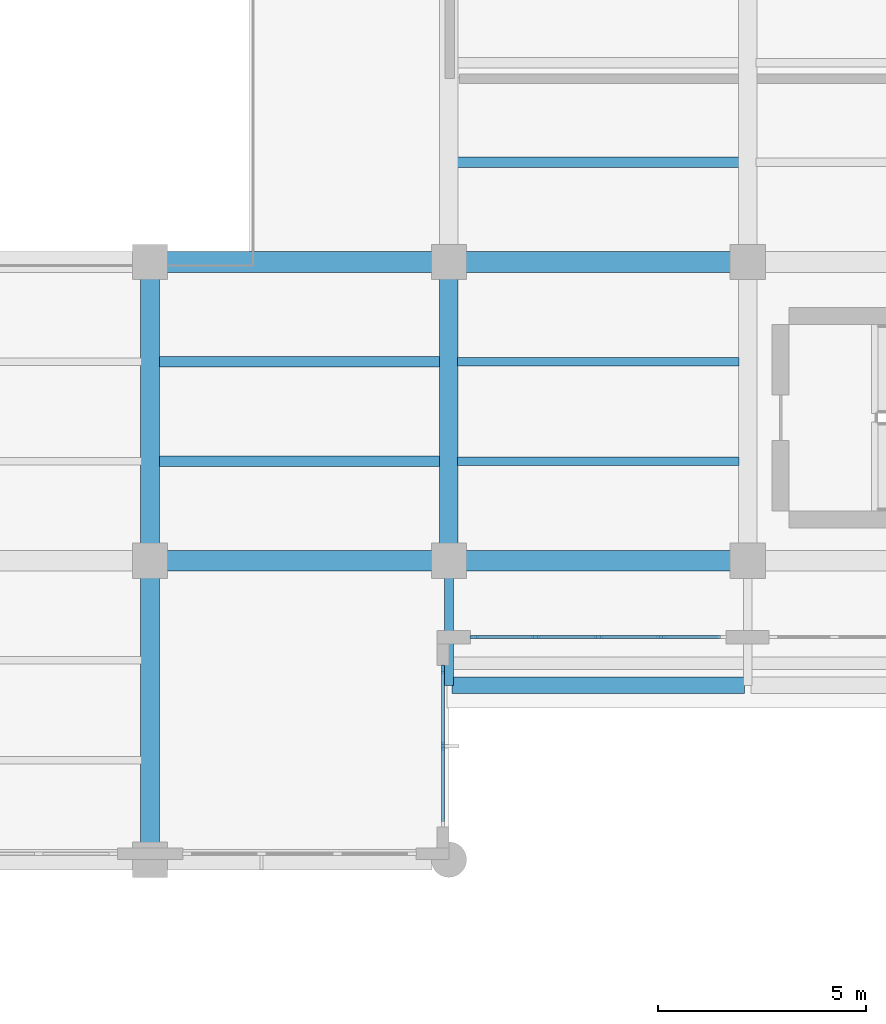
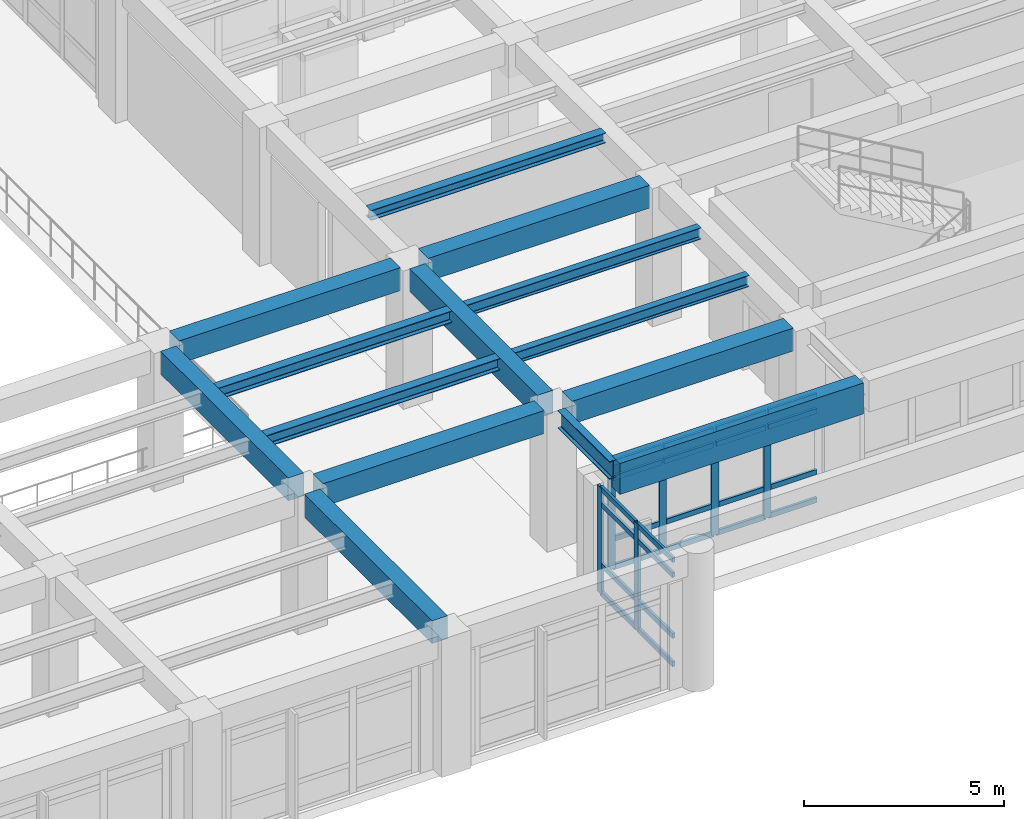
# One storey, part 27 of 98: 30 members, 14 beams, 2 elements without a shape of their own.
"""IFC4 building model written with IfcOpenShell, lengths in metres."""

import ifcopenshell
import ifcopenshell.guid

model = None  # the IFC model being written
_history = None  # IfcOwnerHistory: only IFC2X3 demands one
_inside = {}  # id of a spatial element -> (the spatial element, [elements in it])
_under = {}  # id of a project, library or spatial element -> (it, [spatial elements below it])
_declared = {}  # id of a project -> (the project, [libraries it declares])
_typed = {}  # id of a type object -> (the type object, [elements of that type])
_made_of = {}  # id of a material, layer set ... -> (it, [elements and type objects made of it])


def new_model(schema):
    """Start an empty IFC model of exactly this schema.

    Asked for "IFC4X3", IfcOpenShell would pick the latest addendum, in which some entities
    have other attributes; the version numbers below select the first issue.
    IFC2X3 requires an IfcOwnerHistory on every rooted entity: one is made here for all.
    """
    global model, _history
    if schema == "IFC4X3":
        model = ifcopenshell.file(schema_version=(4, 3, 0, 0))
    else:
        model = ifcopenshell.file(schema=schema)
    _inside.clear()
    _under.clear()
    _declared.clear()
    _typed.clear()
    _made_of.clear()
    _history = None
    if model.schema == "IFC2X3":
        org = make("IfcOrganization", Name="unknown")
        user = make(
            "IfcPersonAndOrganization",
            ThePerson=make("IfcPerson", FamilyName="unknown"),
            TheOrganization=org,
        )
        app = make(
            "IfcApplication",
            ApplicationDeveloper=org,
            Version="unknown",
            ApplicationFullName="unknown",
            ApplicationIdentifier="unknown",
        )
        _history = make(
            "IfcOwnerHistory",
            OwningUser=user,
            OwningApplication=app,
            ChangeAction="ADDED",
            CreationDate=0,
        )
    return model


def make(cls, **values):
    """One entity of the class cls with the attributes given. An attribute that is None is left unset."""
    return model.create_entity(
        cls, **{name: value for name, value in values.items() if value is not None}
    )


def rooted(cls, **values):
    """An entity with a GlobalId (a new one), such as an element, a storey or a relation."""
    return make(cls, GlobalId=ifcopenshell.guid.new(), OwnerHistory=_history, **values)


def si_unit(unit_type, name, prefix=None):
    """IfcSIUnit, for example si_unit("LENGTHUNIT", "METRE", prefix="MILLI")."""
    return make("IfcSIUnit", UnitType=unit_type, Prefix=prefix, Name=name)


def assignment(units):
    """IfcUnitAssignment: the units of a project."""
    return None if units is None else make("IfcUnitAssignment", Units=units)


def point(xyz):
    """IfcCartesianPoint."""
    return None if xyz is None else make("IfcCartesianPoint", Coordinates=xyz)


def direction(xyz):
    """IfcDirection."""
    return None if xyz is None else make("IfcDirection", DirectionRatios=xyz)


def frame(location, z_axis=None, x_axis=None):
    """IfcAxis2Placement3D, a coordinate frame: its origin and axes. An axis left out is left unset."""
    return make(
        "IfcAxis2Placement3D",
        Location=point(location),
        Axis=direction(z_axis),
        RefDirection=direction(x_axis),
    )


def frame_2d(location, x_axis=None):
    """IfcAxis2Placement2D, a coordinate frame in the plane: its origin and x axis."""
    return make(
        "IfcAxis2Placement2D", Location=point(location), RefDirection=direction(x_axis)
    )


def origin():
    """The frame at (0, 0, 0) with its axes left unset."""
    return frame((0.0, 0.0, 0.0))


def origin_2d():
    """The frame at (0, 0) in the plane with its x axis left unset."""
    return frame_2d((0.0, 0.0))


def place(relative_to, where):
    """IfcLocalPlacement: puts the frame where relative to a parent placement (None: the world)."""
    return make(
        "IfcLocalPlacement", PlacementRelTo=relative_to, RelativePlacement=where
    )


def context(
    kind, dimensions, precision=None, world=None, true_north=None, identifier=None
):
    """IfcGeometricRepresentationContext, for example the 3D "Model" context."""
    return make(
        "IfcGeometricRepresentationContext",
        ContextIdentifier=identifier,
        ContextType=kind,
        CoordinateSpaceDimension=dimensions,
        Precision=precision,
        WorldCoordinateSystem=world,
        TrueNorth=true_north,
    )


def subcontext(parent, identifier, kind, view, scale=None):
    """IfcGeometricRepresentationSubContext, for example "Body" below "Model"."""
    return make(
        "IfcGeometricRepresentationSubContext",
        ContextIdentifier=identifier,
        ContextType=kind,
        ParentContext=parent,
        TargetScale=scale,
        TargetView=view,
    )


def project(units=None, contexts=None):
    """IfcProject with its units and contexts."""
    return rooted(
        "IfcProject",
        Name="project",
        RepresentationContexts=contexts,
        UnitsInContext=assignment(units),
    )


def spatial(cls, under=None, at=None, **own):
    """A site, building, storey or space (cls), placed at a placement, below another one or the project."""
    s = rooted(cls, ObjectPlacement=at, **own)
    if under is not None:
        _under.setdefault(under.id(), (under, []))[1].append(s)
    return s


def profile(cls, at=None, kind="AREA", **sizes):
    """A parametric profile (cls). Its sizes go by their IFC names, for example OverallWidth=200.0."""
    return make(cls, ProfileType=kind, Position=at, **sizes)


def rectangle(**sizes):
    """IfcRectangleProfileDef."""
    return profile("IfcRectangleProfileDef", **sizes)


def i_section(**sizes):
    """IfcIShapeProfileDef."""
    return profile("IfcIShapeProfileDef", **sizes)


def extrude(swept, where, along, depth):
    """IfcExtrudedAreaSolid: the profile swept, set in the frame where, extruded along a direction by depth."""
    return make(
        "IfcExtrudedAreaSolid",
        SweptArea=swept,
        Position=where,
        ExtrudedDirection=direction(along),
        Depth=depth,
    )


def shape(context_of_items, identifier, shape_type, items):
    """IfcShapeRepresentation: the items that make up one representation, for example the "Body"."""
    return make(
        "IfcShapeRepresentation",
        ContextOfItems=context_of_items,
        RepresentationIdentifier=identifier,
        RepresentationType=shape_type,
        Items=items,
    )


def material(Name=None, Category=None):
    """IfcMaterial."""
    return make("IfcMaterial", Name=Name, Category=Category)


def layer(
    of_material, thickness, ventilated=None, Name=None, Category=None, Priority=None
):
    """IfcMaterialLayer: one layer of a wall or slab, of a material (None: an air gap)."""
    return make(
        "IfcMaterialLayer",
        Material=of_material,
        LayerThickness=thickness,
        IsVentilated=ventilated,
        Name=Name,
        Category=Category,
        Priority=Priority,
    )


def layer_set(layers, Name=None):
    """IfcMaterialLayerSet."""
    return make("IfcMaterialLayerSet", MaterialLayers=layers, LayerSetName=Name)


def material_profile(
    of_material, cross_section, Name=None, Category=None, Priority=None
):
    """IfcMaterialProfile: a cross section and its material."""
    return make(
        "IfcMaterialProfile",
        Name=Name,
        Material=of_material,
        Profile=cross_section,
        Priority=Priority,
        Category=Category,
    )


def profile_set(profiles, Name=None, composite=None):
    """IfcMaterialProfileSet."""
    return make(
        "IfcMaterialProfileSet",
        Name=Name,
        MaterialProfiles=profiles,
        CompositeProfile=composite,
    )


def made_of(thing, what):
    """Note that an element or type object is made of a material, layer set ...; save() writes the relation."""
    if what is not None:
        _made_of.setdefault(what.id(), (what, []))[1].append(thing)
    return thing


def type_object(cls, material=None, **own):
    """A type object (cls), such as IfcWallType, which elements share."""
    return made_of(rooted(cls, **own), material)


def element(
    cls,
    number,
    at=None,
    inside=None,
    cuts=None,
    type_object=None,
    material=None,
    context=None,
    identifier="Body",
    shape_type=None,
    held_by="IfcProductDefinitionShape",
    body=None,
    shapes=None,
    **own,
):
    """One element of the class cls, such as IfcWall. Its Tag is "e" and its number.

    at: its placement. inside: the storey or other place that contains it. cuts: it is an
    opening in that element (IfcRelVoidsElement). A single representation is given by context,
    identifier, shape_type and body (its items); several are given by shapes. held_by: the class
    of the entity that holds the representations. save() writes the other relations.
    """
    e = rooted(cls, Tag="e%d" % number, ObjectPlacement=at, **own)
    if body is not None:
        shapes = [shape(context, identifier, shape_type, body)]
    if shapes is not None:
        e.Representation = make(held_by, Representations=shapes)
    if inside is not None:
        _inside.setdefault(inside.id(), (inside, []))[1].append(e)
    if cuts is not None:
        rooted(
            "IfcRelVoidsElement", RelatingBuildingElement=cuts, RelatedOpeningElement=e
        )
    if type_object is not None:
        _typed.setdefault(type_object.id(), (type_object, []))[1].append(e)
    return made_of(e, material)


def aggregate(whole, parts):
    """IfcRelAggregates: a whole, such as a stair, and the parts it consists of."""
    return rooted("IfcRelAggregates", RelatingObject=whole, RelatedObjects=parts)


def save(model, path):
    """Write the relations noted so far, then the file.

    IfcRelAggregates (storeys below a building ...), IfcRelContainedInSpatialStructure (elements
    in a storey), IfcRelDefinesByType, IfcRelAssociatesMaterial and IfcRelDeclares: one each for
    every whole, place, type object, material and project.
    """
    for whole, parts in _under.values():
        aggregate(whole, parts)
    for where, things in _inside.values():
        rooted(
            "IfcRelContainedInSpatialStructure",
            RelatedElements=things,
            RelatingStructure=where,
        )
    for kind, things in _typed.values():
        rooted("IfcRelDefinesByType", RelatedObjects=things, RelatingType=kind)
    for what, things in _made_of.values():
        rooted("IfcRelAssociatesMaterial", RelatedObjects=things, RelatingMaterial=what)
    for by, libraries in _declared.values():
        rooted("IfcRelDeclares", RelatingContext=by, RelatedDefinitions=libraries)
    model.write(path)


model = new_model("IFC4")

# Units and contexts
model_context = context("Model", 3, precision=1e-05, world=origin(), true_north=direction((0.0, 1.0)))
body_context = subcontext(model_context, "Body", "Model", "MODEL_VIEW")
ifc_project = project(units=[si_unit("LENGTHUNIT", "METRE"), si_unit("AREAUNIT", "SQUARE_METRE"), si_unit("VOLUMEUNIT", "CUBIC_METRE"), si_unit("PLANEANGLEUNIT", "RADIAN"), si_unit("MASSUNIT", "GRAM", prefix="KILO")], contexts=[model_context])

# Site, building, storey
site_placement = place(None, origin())
site = spatial("IfcSite", under=ifc_project, at=site_placement, CompositionType="ELEMENT")
building_placement = place(site_placement, origin())
building = spatial("IfcBuilding", under=site, at=building_placement, Name="Solenvale Faculty of Natural Sciences", CompositionType="ELEMENT")
storey_placement = place(building_placement, frame((0.0, 0.0, 9.0)))
storey = spatial("IfcBuildingStorey", under=building, at=storey_placement, Name="L02", CompositionType="ELEMENT", Elevation=9.0)

# Beams
ifc_material_1 = material(Name="Concrete 40 MPa", Category="concrete")
ifc_material_profile_1 = material_profile(ifc_material_1, rectangle(XDim=0.449951171875, YDim=0.699951171875, at=origin_2d()), Name="RC-BM-450x700")
ifc_profile_set_1 = profile_set([ifc_material_profile_1], Name="Concrete 40 MPa")
beam_type_1 = type_object("IfcBeamType", Name="BM-RC-450x700", PredefinedType="BEAM", material=ifc_profile_set_1)
for number, where, z_axis, x_axis, name in (
    (1, (50.39990234375, 14.804931640625, 3.8701171875), (0.0, 1.0, 0.0), (-1.0, 0.0, 0.0), "L02 Y-Girder X50.4 (14.4..21.6)"),
    (2, (50.39990234375, 22.0048828125, 3.8701171875), (0.0, 1.0, 0.0), (-1.0, 0.0, 0.0), "L02 Y-Girder X50.4 (21.6..28.8)"),
    (3, (57.60009765625, 22.0048828125, 3.8701171875), (0.0, 1.0, 0.0), (-1.0, 0.0, 0.0), "L02 Y-Girder X57.6 (21.6..28.8)"),
):
    element("IfcBeam", number, at=place(storey_placement, frame(where, z_axis=z_axis, x_axis=x_axis)), inside=storey, type_object=beam_type_1, Name=name, PredefinedType="BEAM", context=body_context, shape_type="SweptSolid", body=[
        extrude(rectangle(XDim=0.449951171875, YDim=0.699951171875, at=origin_2d()), origin(), (0.0, 0.0, 1.0), 6.39013671875),
    ])
ifc_material_profile_2 = material_profile(ifc_material_1, rectangle(XDim=0.5, YDim=0.699951171875, at=origin_2d()), Name="RC-BM-500x700")
ifc_profile_set_2 = profile_set([ifc_material_profile_2], Name="Concrete 40 MPa")
beam_type_2 = type_object("IfcBeamType", Name="BM-RC-500x700", PredefinedType="BEAM", material=ifc_profile_set_2)
for number, where, z_axis, x_axis, name in (
    (4, (50.804931640625, 21.60009765625, 3.8701171875), (1.0, 0.0, 0.0), (0.0, 1.0, 0.0), "L02 X-Girder Y21.6 (50.4..57.6)"),
    (5, (58.0048828125, 21.60009765625, 3.8701171875), (1.0, 0.0, 0.0), (0.0, 1.0, 0.0), "L02 X-Girder Y21.6 (57.6..64.8)"),
    (6, (50.804931640625, 28.800048828125, 3.8701171875), (1.0, 0.0, 0.0), (0.0, 1.0, 0.0), "L02 X-Girder Y28.8 (50.4..57.6)"),
    (7, (58.0048828125, 28.800048828125, 3.8701171875), (1.0, 0.0, 0.0), (0.0, 1.0, 0.0), "L02 X-Girder Y28.8 (57.6..64.8)"),
):
    element("IfcBeam", number, at=place(storey_placement, frame(where, z_axis=z_axis, x_axis=x_axis)), inside=storey, type_object=beam_type_2, Name=name, PredefinedType="BEAM", context=body_context, shape_type="SweptSolid", body=[
        extrude(rectangle(XDim=0.5, YDim=0.699951171875, at=origin_2d()), origin(), (0.0, 0.0, 1.0), 6.39013671875),
    ])
ifc_material_2 = material(Name="Architectural bronze concrete 40 MPa", Category="concrete")
ifc_material_profile_3 = material_profile(ifc_material_2, rectangle(XDim=0.39990234375, YDim=0.949951171875, at=origin_2d()), Name="RC-SPN-400x950")
ifc_profile_set_3 = profile_set([ifc_material_profile_3], Name="Architectural bronze concrete 40 MPa")
beam_type_3 = type_object("IfcBeamType", Name="BM-SPN-BRZ-950", PredefinedType="SPANDREL", material=ifc_profile_set_3)
beam_1_placement = place(storey_placement, frame((57.679931640625, 18.60009765625, 3.7451171875), z_axis=(1.0, 0.0, 0.0), x_axis=(0.0, 1.0, 0.0)))
element("IfcBeam", 8, at=beam_1_placement, inside=storey, type_object=beam_type_3, Name="L03 Sliding-Tray South Bronze Fascia 1", PredefinedType="SPANDREL", context=body_context, shape_type="SweptSolid", body=[
    extrude(rectangle(XDim=0.39990234375, YDim=0.949951171875, at=origin_2d()), origin(), (0.0, 0.0, 1.0), 7.0400390625),
])
ifc_material_3 = material(Name="Steel S355", Category="steel")
ifc_material_profile_4 = material_profile(ifc_material_3, i_section(OverallWidth=0.25390625, OverallDepth=0.305908203125, WebThickness=0.0087890625, FlangeThickness=0.0146484375, FilletRadius=0.014892578125, at=origin_2d()), Name="W310x79")
ifc_profile_set_4 = profile_set([ifc_material_profile_4], Name="Steel S355")
beam_type_4 = type_object("IfcBeamType", Name="BM-STL-W310x79", PredefinedType="JOIST", material=ifc_profile_set_4)
beam_2_placement = place(storey_placement, frame((57.804931640625, 31.199951171875, 4.06689453125), z_axis=(1.0, 0.0, 0.0), x_axis=(0.0, 1.0, 0.0)))
element("IfcBeam", 9, at=beam_2_placement, inside=storey, type_object=beam_type_4, Name="L02 Composite Floor Joist (9,5).1", PredefinedType="JOIST", context=body_context, shape_type="SweptSolid", body=[
    extrude(i_section(OverallWidth=0.25390625, OverallDepth=0.305908203125, WebThickness=0.0087890625, FlangeThickness=0.0146484375, FilletRadius=0.014892578125, at=origin_2d()), origin(), (0.0, 0.0, 1.0), 6.7900390625),
])
ifc_material_profile_5 = material_profile(ifc_material_3, i_section(OverallWidth=0.2548828125, OverallDepth=0.35693359375, WebThickness=0.010498046875, FlangeThickness=0.018310546875, FilletRadius=0.014892578125, at=origin_2d()), Name="W360x101")
ifc_profile_set_5 = profile_set([ifc_material_profile_5], Name="Steel S355")
beam_type_5 = type_object("IfcBeamType", Name="BM-STL-W360x101", PredefinedType="JOIST", material=ifc_profile_set_5)
for number, where, z_axis, x_axis, name in (
    (10, (50.60498046875, 24.0, 4.04150390625), (1.0, 0.0, 0.0), (0.0, 1.0, 0.0), "L02 Composite Floor Joist (8,4).1"),
    (11, (50.60498046875, 26.39990234375, 4.04150390625), (1.0, 0.0, 0.0), (0.0, 1.0, 0.0), "L02 Composite Floor Joist (8,4).2"),
):
    element("IfcBeam", number, at=place(storey_placement, frame(where, z_axis=z_axis, x_axis=x_axis)), inside=storey, type_object=beam_type_5, Name=name, PredefinedType="JOIST", context=body_context, shape_type="SweptSolid", body=[
        extrude(i_section(OverallWidth=0.2548828125, OverallDepth=0.35693359375, WebThickness=0.010498046875, FlangeThickness=0.018310546875, FilletRadius=0.014892578125, at=origin_2d()), origin(), (0.0, 0.0, 1.0), 6.7900390625),
    ])
ifc_material_profile_6 = material_profile(ifc_material_3, i_section(OverallWidth=0.2041015625, OverallDepth=0.35009765625, WebThickness=0.008544921875, FlangeThickness=0.01513671875, FilletRadius=0.014892578125, at=origin_2d()), Name="W360x72")
ifc_profile_set_6 = profile_set([ifc_material_profile_6], Name="Steel S355")
beam_type_6 = type_object("IfcBeamType", Name="BM-STL-W360x72", PredefinedType="JOIST", material=ifc_profile_set_6)
for number, where, z_axis, x_axis, name in (
    (12, (57.804931640625, 24.0, 4.044921875), (1.0, 0.0, 0.0), (0.0, 1.0, 0.0), "L02 Composite Floor Joist (9,4).1"),
    (13, (57.804931640625, 26.39990234375, 4.044921875), (1.0, 0.0, 0.0), (0.0, 1.0, 0.0), "L02 Composite Floor Joist (9,4).2"),
):
    element("IfcBeam", number, at=place(storey_placement, frame(where, z_axis=z_axis, x_axis=x_axis)), inside=storey, type_object=beam_type_6, Name=name, PredefinedType="JOIST", context=body_context, shape_type="SweptSolid", body=[
        extrude(i_section(OverallWidth=0.2041015625, OverallDepth=0.35009765625, WebThickness=0.008544921875, FlangeThickness=0.01513671875, FilletRadius=0.014892578125, at=origin_2d()), origin(), (0.0, 0.0, 1.0), 6.7900390625),
    ])
ifc_material_profile_7 = material_profile(ifc_material_3, i_section(OverallWidth=0.2119140625, OverallDepth=0.5439453125, WebThickness=0.01318359375, FlangeThickness=0.021240234375, FilletRadius=0.01904296875, at=origin_2d()), Name="W530x123")
ifc_profile_set_7 = profile_set([ifc_material_profile_7], Name="Steel S355")
beam_type_7 = type_object("IfcBeamType", Name="BM-STL-W530x123", PredefinedType="BEAM", material=ifc_profile_set_7)
beam_3_placement = place(storey_placement, frame((57.60009765625, 21.195068359375, 3.947998046875), z_axis=(0.0, -1.0, 0.0), x_axis=(1.0, 0.0, 0.0)))
element("IfcBeam", 14, at=beam_3_placement, inside=storey, type_object=beam_type_7, Name="L02 V4 Cantilever Tray Girder X57.6", PredefinedType="BEAM", context=body_context, shape_type="SweptSolid", body=[
    extrude(i_section(OverallWidth=0.2119140625, OverallDepth=0.5439453125, WebThickness=0.01318359375, FlangeThickness=0.021240234375, FilletRadius=0.01904296875, at=origin_2d()), origin(), (0.0, 0.0, 1.0), 2.594970703125),
])

# Curtain wall, members
ifc_material_4 = material(Name="Anodised bronze aluminium", Category="aluminium")
ifc_layer_1 = layer(ifc_material_4, 0.215087890625)
ifc_layer_set_1 = layer_set([ifc_layer_1], Name="Anodised bronze aluminium")
curtain_wall_type_1 = type_object("IfcCurtainWallType", Name="CW-ATR-UNIT", PredefinedType="USERDEFINED", material=ifc_layer_set_1)
curtain_wall_1_placement = place(storey_placement, origin())
curtain_wall_1 = element("IfcCurtainWall", 15, at=curtain_wall_1_placement, inside=storey, type_object=curtain_wall_type_1, Name="L02 Curtain Wall CW-L02-P1-E11-B1", ObjectType="UNITISED CURTAIN WALL", PredefinedType="USERDEFINED")
ifc_material_profile_8 = material_profile(ifc_material_4, rectangle(XDim=0.074951171875, YDim=0.2099609375, at=origin_2d()), Name="ALU-MUL-75x210")
ifc_profile_set_8 = profile_set([ifc_material_profile_8], Name="Anodised bronze aluminium")
member_type_1 = type_object("IfcMemberType", Name="CWM-ALU-75x210", PredefinedType="MULLION", material=ifc_profile_set_8)
member_1_placement = place(storey_placement, frame((57.45751953125, 17.135009765625, 0.0), z_axis=(0.0, 0.0, 1.0), x_axis=(-1.0, 0.0, 0.0)))
member_1 = element("IfcMember", 16, at=member_1_placement, type_object=member_type_1, Name="CW-01 mullion 2", PredefinedType="MULLION", context=body_context, shape_type="SweptSolid", body=[
    extrude(rectangle(XDim=0.074951171875, YDim=0.2099609375, at=origin_2d()), origin(), (0.0, 0.0, 1.0), 3.260009765625),
])
member_2_placement = place(storey_placement, frame((57.45751953125, 18.982421875, 0.0), z_axis=(0.0, 0.0, 1.0), x_axis=(-1.0, 0.0, 0.0)))
member_2 = element("IfcMember", 17, at=member_2_placement, type_object=member_type_1, Name="CW-01 mullion 3", PredefinedType="MULLION", context=body_context, shape_type="SweptSolid", body=[
    extrude(rectangle(XDim=0.074951171875, YDim=0.2099609375, at=origin_2d()), origin(), (0.0, 0.0, 1.0), 3.260009765625),
])

ifc_layer_2 = layer(ifc_material_4, 0.18994140625)
ifc_layer_set_2 = layer_set([ifc_layer_2], Name="Anodised bronze aluminium")
curtain_wall_type_2 = type_object("IfcCurtainWallType", Name="CW-TRAY-REC", PredefinedType="USERDEFINED", material=ifc_layer_set_2)
curtain_wall_2_placement = place(storey_placement, origin())
curtain_wall_2 = element("IfcCurtainWall", 18, at=curtain_wall_2_placement, inside=storey, type_object=curtain_wall_type_2, Name="L02 Curtain Wall CW-L02-P1-E12-B1", ObjectType="UNITISED CURTAIN WALL", PredefinedType="USERDEFINED")
member_3_placement = place(storey_placement, frame((58.217529296875, 19.762451171875, 0.0), z_axis=(0.0, 0.0, 1.0), x_axis=(0.0, 1.0, 0.0)))
member_3 = element("IfcMember", 19, at=member_3_placement, type_object=member_type_1, Name="CW-02 mullion 1", PredefinedType="MULLION", context=body_context, shape_type="SweptSolid", body=[
    extrude(rectangle(XDim=0.074951171875, YDim=0.2099609375, at=origin_2d()), origin(), (0.0, 0.0, 1.0), 3.260009765625),
])
member_4_placement = place(storey_placement, frame((59.68994140625, 19.762451171875, 0.0), z_axis=(0.0, 0.0, 1.0), x_axis=(0.0, 1.0, 0.0)))
member_4 = element("IfcMember", 20, at=member_4_placement, type_object=member_type_1, Name="CW-02 mullion 2", PredefinedType="MULLION", context=body_context, shape_type="SweptSolid", body=[
    extrude(rectangle(XDim=0.074951171875, YDim=0.2099609375, at=origin_2d()), origin(), (0.0, 0.0, 1.0), 3.260009765625),
])
member_5_placement = place(storey_placement, frame((61.199951171875, 19.762451171875, 0.0), z_axis=(0.0, 0.0, 1.0), x_axis=(0.0, 1.0, 0.0)))
member_5 = element("IfcMember", 21, at=member_5_placement, type_object=member_type_1, Name="CW-02 mullion 3", PredefinedType="MULLION", context=body_context, shape_type="SweptSolid", body=[
    extrude(rectangle(XDim=0.074951171875, YDim=0.2099609375, at=origin_2d()), origin(), (0.0, 0.0, 1.0), 3.260009765625),
])
member_6_placement = place(storey_placement, frame((62.7099609375, 19.762451171875, 0.0), z_axis=(0.0, 0.0, 1.0), x_axis=(0.0, 1.0, 0.0)))
member_6 = element("IfcMember", 22, at=member_6_placement, type_object=member_type_1, Name="CW-02 mullion 4", PredefinedType="MULLION", context=body_context, shape_type="SweptSolid", body=[
    extrude(rectangle(XDim=0.074951171875, YDim=0.2099609375, at=origin_2d()), origin(), (0.0, 0.0, 1.0), 3.260009765625),
])

# Member
ifc_material_profile_9 = material_profile(ifc_material_4, rectangle(XDim=0.074951171875, YDim=0.155029296875, at=origin_2d()), Name="ALU-TRN-75x155")
ifc_profile_set_9 = profile_set([ifc_material_profile_9], Name="Anodised bronze aluminium")
member_type_2 = type_object("IfcMemberType", Name="CWT-ALU-75x155", PredefinedType="USERDEFINED", material=ifc_profile_set_9)
member_7_placement = place(storey_placement, frame((57.45751953125, 15.324951171875, 0.03759765625), z_axis=(0.0, 1.0, 0.0), x_axis=(-1.0, 0.0, 0.0)))
member_7 = element("IfcMember", 23, at=member_7_placement, type_object=member_type_2, Name="CW-01 transom 1.1", ObjectType="TRANSOM", PredefinedType="USERDEFINED", context=body_context, shape_type="SweptSolid", body=[
    extrude(rectangle(XDim=0.074951171875, YDim=0.155029296875, at=origin_2d()), origin(), (0.0, 0.0, 1.0), 1.7724609375),
])

member_8_placement = place(storey_placement, frame((57.45751953125, 15.324951171875, 0.89990234375), z_axis=(0.0, 1.0, 0.0), x_axis=(-1.0, 0.0, 0.0)))
member_8 = element("IfcMember", 24, at=member_8_placement, type_object=member_type_2, Name="CW-01 transom 1.2", ObjectType="TRANSOM", PredefinedType="USERDEFINED", context=body_context, shape_type="SweptSolid", body=[
    extrude(rectangle(XDim=0.074951171875, YDim=0.155029296875, at=origin_2d()), origin(), (0.0, 0.0, 1.0), 1.7724609375),
])

member_9_placement = place(storey_placement, frame((57.45751953125, 15.324951171875, 2.760009765625), z_axis=(0.0, 1.0, 0.0), x_axis=(-1.0, 0.0, 0.0)))
member_9 = element("IfcMember", 25, at=member_9_placement, type_object=member_type_2, Name="CW-01 transom 1.3", ObjectType="TRANSOM", PredefinedType="USERDEFINED", context=body_context, shape_type="SweptSolid", body=[
    extrude(rectangle(XDim=0.074951171875, YDim=0.155029296875, at=origin_2d()), origin(), (0.0, 0.0, 1.0), 1.7724609375),
])

member_10_placement = place(storey_placement, frame((57.45751953125, 15.324951171875, 3.222412109375), z_axis=(0.0, 1.0, 0.0), x_axis=(-1.0, 0.0, 0.0)))
member_10 = element("IfcMember", 26, at=member_10_placement, type_object=member_type_2, Name="CW-01 transom 1.4", ObjectType="TRANSOM", PredefinedType="USERDEFINED", context=body_context, shape_type="SweptSolid", body=[
    extrude(rectangle(XDim=0.074951171875, YDim=0.155029296875, at=origin_2d()), origin(), (0.0, 0.0, 1.0), 1.7724609375),
])

member_11_placement = place(storey_placement, frame((57.45751953125, 17.172607421875, 0.03759765625), z_axis=(0.0, 1.0, 0.0), x_axis=(-1.0, 0.0, 0.0)))
member_11 = element("IfcMember", 27, at=member_11_placement, type_object=member_type_2, Name="CW-01 transom 2.1", ObjectType="TRANSOM", PredefinedType="USERDEFINED", context=body_context, shape_type="SweptSolid", body=[
    extrude(rectangle(XDim=0.074951171875, YDim=0.155029296875, at=origin_2d()), origin(), (0.0, 0.0, 1.0), 1.7724609375),
])

member_12_placement = place(storey_placement, frame((57.45751953125, 17.172607421875, 0.89990234375), z_axis=(0.0, 1.0, 0.0), x_axis=(-1.0, 0.0, 0.0)))
member_12 = element("IfcMember", 28, at=member_12_placement, type_object=member_type_2, Name="CW-01 transom 2.2", ObjectType="TRANSOM", PredefinedType="USERDEFINED", context=body_context, shape_type="SweptSolid", body=[
    extrude(rectangle(XDim=0.074951171875, YDim=0.155029296875, at=origin_2d()), origin(), (0.0, 0.0, 1.0), 1.7724609375),
])

member_13_placement = place(storey_placement, frame((57.45751953125, 17.172607421875, 2.760009765625), z_axis=(0.0, 1.0, 0.0), x_axis=(-1.0, 0.0, 0.0)))
member_13 = element("IfcMember", 29, at=member_13_placement, type_object=member_type_2, Name="CW-01 transom 2.3", ObjectType="TRANSOM", PredefinedType="USERDEFINED", context=body_context, shape_type="SweptSolid", body=[
    extrude(rectangle(XDim=0.074951171875, YDim=0.155029296875, at=origin_2d()), origin(), (0.0, 0.0, 1.0), 1.7724609375),
])

member_14_placement = place(storey_placement, frame((57.45751953125, 17.172607421875, 3.222412109375), z_axis=(0.0, 1.0, 0.0), x_axis=(-1.0, 0.0, 0.0)))
member_14 = element("IfcMember", 30, at=member_14_placement, type_object=member_type_2, Name="CW-01 transom 2.4", ObjectType="TRANSOM", PredefinedType="USERDEFINED", context=body_context, shape_type="SweptSolid", body=[
    extrude(rectangle(XDim=0.074951171875, YDim=0.155029296875, at=origin_2d()), origin(), (0.0, 0.0, 1.0), 1.7724609375),
])

aggregate(curtain_wall_1, [member_1, member_2, member_7, member_8, member_9, member_10, member_11, member_12, member_13, member_14])

member_15_placement = place(storey_placement, frame((58.2548828125, 19.762451171875, 0.03759765625), z_axis=(1.0, 0.0, 0.0), x_axis=(0.0, 1.0, 0.0)))
member_15 = element("IfcMember", 31, at=member_15_placement, type_object=member_type_2, Name="CW-02 transom 1.1", ObjectType="TRANSOM", PredefinedType="USERDEFINED", context=body_context, shape_type="SweptSolid", body=[
    extrude(rectangle(XDim=0.074951171875, YDim=0.155029296875, at=origin_2d()), origin(), (0.0, 0.0, 1.0), 1.397705078125),
])

member_16_placement = place(storey_placement, frame((58.2548828125, 19.762451171875, 0.89990234375), z_axis=(1.0, 0.0, 0.0), x_axis=(0.0, 1.0, 0.0)))
member_16 = element("IfcMember", 32, at=member_16_placement, type_object=member_type_2, Name="CW-02 transom 1.2", ObjectType="TRANSOM", PredefinedType="USERDEFINED", context=body_context, shape_type="SweptSolid", body=[
    extrude(rectangle(XDim=0.074951171875, YDim=0.155029296875, at=origin_2d()), origin(), (0.0, 0.0, 1.0), 1.397705078125),
])

member_17_placement = place(storey_placement, frame((58.2548828125, 19.762451171875, 2.760009765625), z_axis=(1.0, 0.0, 0.0), x_axis=(0.0, 1.0, 0.0)))
member_17 = element("IfcMember", 33, at=member_17_placement, type_object=member_type_2, Name="CW-02 transom 1.3", ObjectType="TRANSOM", PredefinedType="USERDEFINED", context=body_context, shape_type="SweptSolid", body=[
    extrude(rectangle(XDim=0.074951171875, YDim=0.155029296875, at=origin_2d()), origin(), (0.0, 0.0, 1.0), 1.397705078125),
])

member_18_placement = place(storey_placement, frame((58.2548828125, 19.762451171875, 3.222412109375), z_axis=(1.0, 0.0, 0.0), x_axis=(0.0, 1.0, 0.0)))
member_18 = element("IfcMember", 34, at=member_18_placement, type_object=member_type_2, Name="CW-02 transom 1.4", ObjectType="TRANSOM", PredefinedType="USERDEFINED", context=body_context, shape_type="SweptSolid", body=[
    extrude(rectangle(XDim=0.074951171875, YDim=0.155029296875, at=origin_2d()), origin(), (0.0, 0.0, 1.0), 1.397705078125),
])

member_19_placement = place(storey_placement, frame((59.7275390625, 19.762451171875, 0.03759765625), z_axis=(1.0, 0.0, 0.0), x_axis=(0.0, 1.0, 0.0)))
member_19 = element("IfcMember", 35, at=member_19_placement, type_object=member_type_2, Name="CW-02 transom 2.1", ObjectType="TRANSOM", PredefinedType="USERDEFINED", context=body_context, shape_type="SweptSolid", body=[
    extrude(rectangle(XDim=0.074951171875, YDim=0.155029296875, at=origin_2d()), origin(), (0.0, 0.0, 1.0), 1.43505859375),
])

member_20_placement = place(storey_placement, frame((59.7275390625, 19.762451171875, 0.89990234375), z_axis=(1.0, 0.0, 0.0), x_axis=(0.0, 1.0, 0.0)))
member_20 = element("IfcMember", 36, at=member_20_placement, type_object=member_type_2, Name="CW-02 transom 2.2", ObjectType="TRANSOM", PredefinedType="USERDEFINED", context=body_context, shape_type="SweptSolid", body=[
    extrude(rectangle(XDim=0.074951171875, YDim=0.155029296875, at=origin_2d()), origin(), (0.0, 0.0, 1.0), 1.43505859375),
])

member_21_placement = place(storey_placement, frame((59.7275390625, 19.762451171875, 2.760009765625), z_axis=(1.0, 0.0, 0.0), x_axis=(0.0, 1.0, 0.0)))
member_21 = element("IfcMember", 37, at=member_21_placement, type_object=member_type_2, Name="CW-02 transom 2.3", ObjectType="TRANSOM", PredefinedType="USERDEFINED", context=body_context, shape_type="SweptSolid", body=[
    extrude(rectangle(XDim=0.074951171875, YDim=0.155029296875, at=origin_2d()), origin(), (0.0, 0.0, 1.0), 1.43505859375),
])

member_22_placement = place(storey_placement, frame((59.7275390625, 19.762451171875, 3.222412109375), z_axis=(1.0, 0.0, 0.0), x_axis=(0.0, 1.0, 0.0)))
member_22 = element("IfcMember", 38, at=member_22_placement, type_object=member_type_2, Name="CW-02 transom 2.4", ObjectType="TRANSOM", PredefinedType="USERDEFINED", context=body_context, shape_type="SweptSolid", body=[
    extrude(rectangle(XDim=0.074951171875, YDim=0.155029296875, at=origin_2d()), origin(), (0.0, 0.0, 1.0), 1.43505859375),
])

member_23_placement = place(storey_placement, frame((61.237548828125, 19.762451171875, 0.03759765625), z_axis=(1.0, 0.0, 0.0), x_axis=(0.0, 1.0, 0.0)))
member_23 = element("IfcMember", 39, at=member_23_placement, type_object=member_type_2, Name="CW-02 transom 3.1", ObjectType="TRANSOM", PredefinedType="USERDEFINED", context=body_context, shape_type="SweptSolid", body=[
    extrude(rectangle(XDim=0.074951171875, YDim=0.155029296875, at=origin_2d()), origin(), (0.0, 0.0, 1.0), 1.43505859375),
])

member_24_placement = place(storey_placement, frame((61.237548828125, 19.762451171875, 0.89990234375), z_axis=(1.0, 0.0, 0.0), x_axis=(0.0, 1.0, 0.0)))
member_24 = element("IfcMember", 40, at=member_24_placement, type_object=member_type_2, Name="CW-02 transom 3.2", ObjectType="TRANSOM", PredefinedType="USERDEFINED", context=body_context, shape_type="SweptSolid", body=[
    extrude(rectangle(XDim=0.074951171875, YDim=0.155029296875, at=origin_2d()), origin(), (0.0, 0.0, 1.0), 1.43505859375),
])

member_25_placement = place(storey_placement, frame((61.237548828125, 19.762451171875, 2.760009765625), z_axis=(1.0, 0.0, 0.0), x_axis=(0.0, 1.0, 0.0)))
member_25 = element("IfcMember", 41, at=member_25_placement, type_object=member_type_2, Name="CW-02 transom 3.3", ObjectType="TRANSOM", PredefinedType="USERDEFINED", context=body_context, shape_type="SweptSolid", body=[
    extrude(rectangle(XDim=0.074951171875, YDim=0.155029296875, at=origin_2d()), origin(), (0.0, 0.0, 1.0), 1.43505859375),
])

member_26_placement = place(storey_placement, frame((61.237548828125, 19.762451171875, 3.222412109375), z_axis=(1.0, 0.0, 0.0), x_axis=(0.0, 1.0, 0.0)))
member_26 = element("IfcMember", 42, at=member_26_placement, type_object=member_type_2, Name="CW-02 transom 3.4", ObjectType="TRANSOM", PredefinedType="USERDEFINED", context=body_context, shape_type="SweptSolid", body=[
    extrude(rectangle(XDim=0.074951171875, YDim=0.155029296875, at=origin_2d()), origin(), (0.0, 0.0, 1.0), 1.43505859375),
])

member_27_placement = place(storey_placement, frame((62.74755859375, 19.762451171875, 0.03759765625), z_axis=(1.0, 0.0, 0.0), x_axis=(0.0, 1.0, 0.0)))
member_27 = element("IfcMember", 43, at=member_27_placement, type_object=member_type_2, Name="CW-02 transom 4.1", ObjectType="TRANSOM", PredefinedType="USERDEFINED", context=body_context, shape_type="SweptSolid", body=[
    extrude(rectangle(XDim=0.074951171875, YDim=0.155029296875, at=origin_2d()), origin(), (0.0, 0.0, 1.0), 1.3974609375),
])

member_28_placement = place(storey_placement, frame((62.74755859375, 19.762451171875, 0.89990234375), z_axis=(1.0, 0.0, 0.0), x_axis=(0.0, 1.0, 0.0)))
member_28 = element("IfcMember", 44, at=member_28_placement, type_object=member_type_2, Name="CW-02 transom 4.2", ObjectType="TRANSOM", PredefinedType="USERDEFINED", context=body_context, shape_type="SweptSolid", body=[
    extrude(rectangle(XDim=0.074951171875, YDim=0.155029296875, at=origin_2d()), origin(), (0.0, 0.0, 1.0), 1.3974609375),
])

member_29_placement = place(storey_placement, frame((62.74755859375, 19.762451171875, 2.760009765625), z_axis=(1.0, 0.0, 0.0), x_axis=(0.0, 1.0, 0.0)))
member_29 = element("IfcMember", 45, at=member_29_placement, type_object=member_type_2, Name="CW-02 transom 4.3", ObjectType="TRANSOM", PredefinedType="USERDEFINED", context=body_context, shape_type="SweptSolid", body=[
    extrude(rectangle(XDim=0.074951171875, YDim=0.155029296875, at=origin_2d()), origin(), (0.0, 0.0, 1.0), 1.3974609375),
])

member_30_placement = place(storey_placement, frame((62.74755859375, 19.762451171875, 3.222412109375), z_axis=(1.0, 0.0, 0.0), x_axis=(0.0, 1.0, 0.0)))
member_30 = element("IfcMember", 46, at=member_30_placement, type_object=member_type_2, Name="CW-02 transom 4.4", ObjectType="TRANSOM", PredefinedType="USERDEFINED", context=body_context, shape_type="SweptSolid", body=[
    extrude(rectangle(XDim=0.074951171875, YDim=0.155029296875, at=origin_2d()), origin(), (0.0, 0.0, 1.0), 1.3974609375),
])

aggregate(curtain_wall_2, [member_3, member_4, member_5, member_6, member_15, member_16, member_17, member_18, member_19, member_20, member_21, member_22, member_23, member_24, member_25, member_26, member_27, member_28, member_29, member_30])

save(model, "model.ifc")
